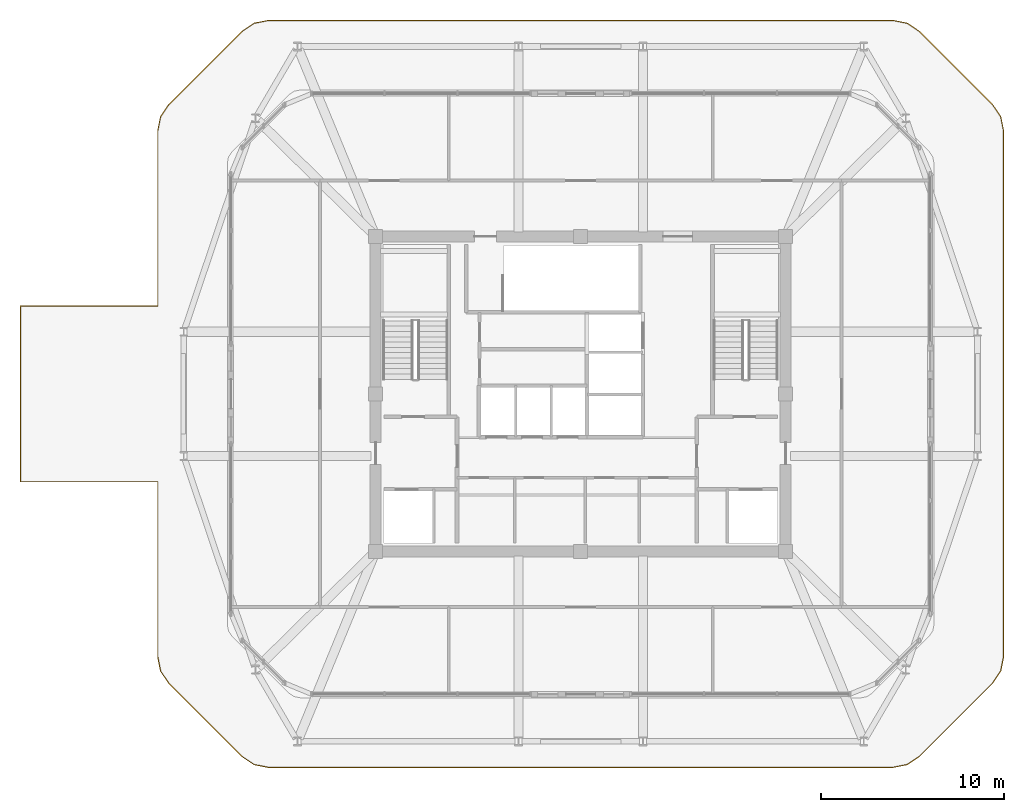
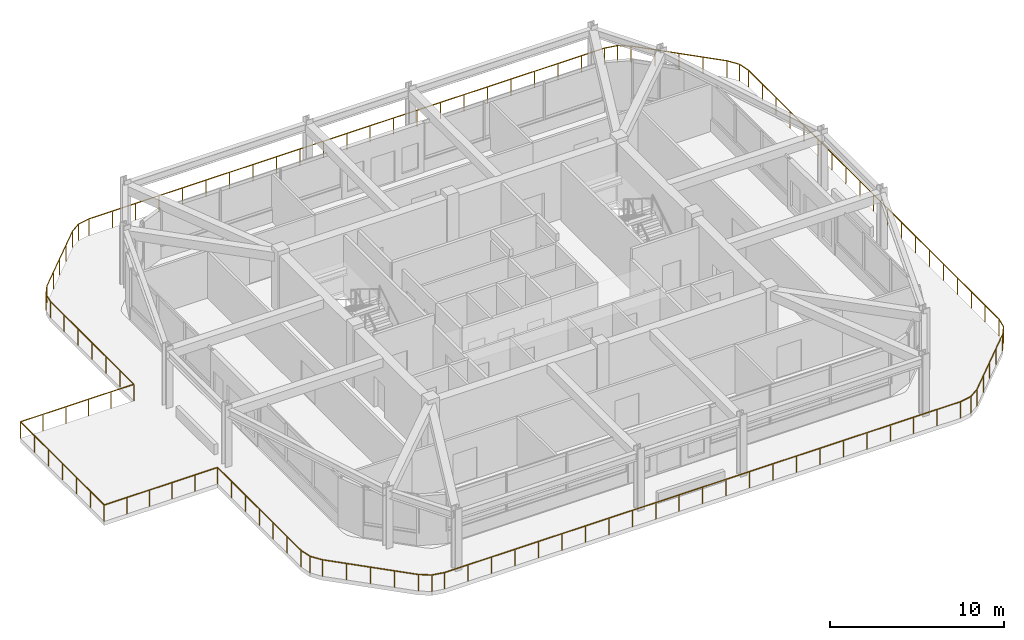
# One storey, part 9 of 10: 1 railing.
"""IFC4 building model written with IfcOpenShell, lengths in metres."""

import ifcopenshell
import ifcopenshell.guid

model = None  # the IFC model being written
_history = None  # IfcOwnerHistory: only IFC2X3 demands one
_inside = {}  # id of a spatial element -> (the spatial element, [elements in it])
_under = {}  # id of a project, library or spatial element -> (it, [spatial elements below it])
_declared = {}  # id of a project -> (the project, [libraries it declares])
_typed = {}  # id of a type object -> (the type object, [elements of that type])
_made_of = {}  # id of a material, layer set ... -> (it, [elements and type objects made of it])


def new_model(schema):
    """Start an empty IFC model of exactly this schema.

    Asked for "IFC4X3", IfcOpenShell would pick the latest addendum, in which some entities
    have other attributes; the version numbers below select the first issue.
    IFC2X3 requires an IfcOwnerHistory on every rooted entity: one is made here for all.
    """
    global model, _history
    if schema == "IFC4X3":
        model = ifcopenshell.file(schema_version=(4, 3, 0, 0))
    else:
        model = ifcopenshell.file(schema=schema)
    _inside.clear()
    _under.clear()
    _declared.clear()
    _typed.clear()
    _made_of.clear()
    _history = None
    if model.schema == "IFC2X3":
        org = make("IfcOrganization", Name="unknown")
        user = make(
            "IfcPersonAndOrganization",
            ThePerson=make("IfcPerson", FamilyName="unknown"),
            TheOrganization=org,
        )
        app = make(
            "IfcApplication",
            ApplicationDeveloper=org,
            Version="unknown",
            ApplicationFullName="unknown",
            ApplicationIdentifier="unknown",
        )
        _history = make(
            "IfcOwnerHistory",
            OwningUser=user,
            OwningApplication=app,
            ChangeAction="ADDED",
            CreationDate=0,
        )
    return model


def make(cls, **values):
    """One entity of the class cls with the attributes given. An attribute that is None is left unset."""
    return model.create_entity(
        cls, **{name: value for name, value in values.items() if value is not None}
    )


def rooted(cls, **values):
    """An entity with a GlobalId (a new one), such as an element, a storey or a relation."""
    return make(cls, GlobalId=ifcopenshell.guid.new(), OwnerHistory=_history, **values)


def si_unit(unit_type, name, prefix=None):
    """IfcSIUnit, for example si_unit("LENGTHUNIT", "METRE", prefix="MILLI")."""
    return make("IfcSIUnit", UnitType=unit_type, Prefix=prefix, Name=name)


def derived_unit(unit_type, elements):
    """IfcDerivedUnit: a product of units, each with its exponent."""
    return make(
        "IfcDerivedUnit",
        Elements=[
            make("IfcDerivedUnitElement", Unit=unit, Exponent=power)
            for unit, power in elements
        ],
        UnitType=unit_type,
    )


def assignment(units):
    """IfcUnitAssignment: the units of a project."""
    return None if units is None else make("IfcUnitAssignment", Units=units)


def point(xyz):
    """IfcCartesianPoint."""
    return None if xyz is None else make("IfcCartesianPoint", Coordinates=xyz)


def direction(xyz):
    """IfcDirection."""
    return None if xyz is None else make("IfcDirection", DirectionRatios=xyz)


def frame(location, z_axis=None, x_axis=None):
    """IfcAxis2Placement3D, a coordinate frame: its origin and axes. An axis left out is left unset."""
    return make(
        "IfcAxis2Placement3D",
        Location=point(location),
        Axis=direction(z_axis),
        RefDirection=direction(x_axis),
    )


def frame_2d(location, x_axis=None):
    """IfcAxis2Placement2D, a coordinate frame in the plane: its origin and x axis."""
    return make(
        "IfcAxis2Placement2D", Location=point(location), RefDirection=direction(x_axis)
    )


def origin():
    """The frame at (0, 0, 0) with its axes left unset."""
    return frame((0.0, 0.0, 0.0))


def origin_2d():
    """The frame at (0, 0) in the plane with its x axis left unset."""
    return frame_2d((0.0, 0.0))


def place(relative_to, where):
    """IfcLocalPlacement: puts the frame where relative to a parent placement (None: the world)."""
    return make(
        "IfcLocalPlacement", PlacementRelTo=relative_to, RelativePlacement=where
    )


def context(
    kind, dimensions, precision=None, world=None, true_north=None, identifier=None
):
    """IfcGeometricRepresentationContext, for example the 3D "Model" context."""
    return make(
        "IfcGeometricRepresentationContext",
        ContextIdentifier=identifier,
        ContextType=kind,
        CoordinateSpaceDimension=dimensions,
        Precision=precision,
        WorldCoordinateSystem=world,
        TrueNorth=true_north,
    )


def subcontext(parent, identifier, kind, view, scale=None):
    """IfcGeometricRepresentationSubContext, for example "Body" below "Model"."""
    return make(
        "IfcGeometricRepresentationSubContext",
        ContextIdentifier=identifier,
        ContextType=kind,
        ParentContext=parent,
        TargetScale=scale,
        TargetView=view,
    )


def project(units=None, contexts=None):
    """IfcProject with its units and contexts."""
    return rooted(
        "IfcProject",
        Name="project",
        RepresentationContexts=contexts,
        UnitsInContext=assignment(units),
    )


def spatial(cls, under=None, at=None, **own):
    """A site, building, storey or space (cls), placed at a placement, below another one or the project."""
    s = rooted(cls, ObjectPlacement=at, **own)
    if under is not None:
        _under.setdefault(under.id(), (under, []))[1].append(s)
    return s


def profile(cls, at=None, kind="AREA", **sizes):
    """A parametric profile (cls). Its sizes go by their IFC names, for example OverallWidth=200.0."""
    return make(cls, ProfileType=kind, Position=at, **sizes)


def rectangle(**sizes):
    """IfcRectangleProfileDef."""
    return profile("IfcRectangleProfileDef", **sizes)


def extrude(swept, where, along, depth):
    """IfcExtrudedAreaSolid: the profile swept, set in the frame where, extruded along a direction by depth."""
    return make(
        "IfcExtrudedAreaSolid",
        SweptArea=swept,
        Position=where,
        ExtrudedDirection=direction(along),
        Depth=depth,
    )


def shape(context_of_items, identifier, shape_type, items):
    """IfcShapeRepresentation: the items that make up one representation, for example the "Body"."""
    return make(
        "IfcShapeRepresentation",
        ContextOfItems=context_of_items,
        RepresentationIdentifier=identifier,
        RepresentationType=shape_type,
        Items=items,
    )


def material(Name=None, Category=None):
    """IfcMaterial."""
    return make("IfcMaterial", Name=Name, Category=Category)


def made_of(thing, what):
    """Note that an element or type object is made of a material, layer set ...; save() writes the relation."""
    if what is not None:
        _made_of.setdefault(what.id(), (what, []))[1].append(thing)
    return thing


def type_object(cls, material=None, **own):
    """A type object (cls), such as IfcWallType, which elements share."""
    return made_of(rooted(cls, **own), material)


def element(
    cls,
    number,
    at=None,
    inside=None,
    cuts=None,
    type_object=None,
    material=None,
    context=None,
    identifier="Body",
    shape_type=None,
    held_by="IfcProductDefinitionShape",
    body=None,
    shapes=None,
    **own,
):
    """One element of the class cls, such as IfcWall. Its Tag is "e" and its number.

    at: its placement. inside: the storey or other place that contains it. cuts: it is an
    opening in that element (IfcRelVoidsElement). A single representation is given by context,
    identifier, shape_type and body (its items); several are given by shapes. held_by: the class
    of the entity that holds the representations. save() writes the other relations.
    """
    e = rooted(cls, Tag="e%d" % number, ObjectPlacement=at, **own)
    if body is not None:
        shapes = [shape(context, identifier, shape_type, body)]
    if shapes is not None:
        e.Representation = make(held_by, Representations=shapes)
    if inside is not None:
        _inside.setdefault(inside.id(), (inside, []))[1].append(e)
    if cuts is not None:
        rooted(
            "IfcRelVoidsElement", RelatingBuildingElement=cuts, RelatedOpeningElement=e
        )
    if type_object is not None:
        _typed.setdefault(type_object.id(), (type_object, []))[1].append(e)
    return made_of(e, material)


def aggregate(whole, parts):
    """IfcRelAggregates: a whole, such as a stair, and the parts it consists of."""
    return rooted("IfcRelAggregates", RelatingObject=whole, RelatedObjects=parts)


def save(model, path):
    """Write the relations noted so far, then the file.

    IfcRelAggregates (storeys below a building ...), IfcRelContainedInSpatialStructure (elements
    in a storey), IfcRelDefinesByType, IfcRelAssociatesMaterial and IfcRelDeclares: one each for
    every whole, place, type object, material and project.
    """
    for whole, parts in _under.values():
        aggregate(whole, parts)
    for where, things in _inside.values():
        rooted(
            "IfcRelContainedInSpatialStructure",
            RelatedElements=things,
            RelatingStructure=where,
        )
    for kind, things in _typed.values():
        rooted("IfcRelDefinesByType", RelatedObjects=things, RelatingType=kind)
    for what, things in _made_of.values():
        rooted("IfcRelAssociatesMaterial", RelatedObjects=things, RelatingMaterial=what)
    for by, libraries in _declared.values():
        rooted("IfcRelDeclares", RelatingContext=by, RelatedDefinitions=libraries)
    model.write(path)


model = new_model("IFC4")

# Units and contexts
model_context = context("Model", 3, precision=1e-05, world=origin(), true_north=direction((0.0, 1.0)))
body_context = subcontext(model_context, "Body", "Model", "MODEL_VIEW")
ifc_project = project(units=[si_unit("LENGTHUNIT", "METRE"), si_unit("AREAUNIT", "SQUARE_METRE"), si_unit("VOLUMEUNIT", "CUBIC_METRE"), si_unit("PLANEANGLEUNIT", "RADIAN"), si_unit("MASSUNIT", "GRAM", prefix="KILO"), derived_unit("THERMALTRANSMITTANCEUNIT", [(si_unit("POWERUNIT", "WATT"), 1), (si_unit("LENGTHUNIT", "METRE"), -2), (si_unit("THERMODYNAMICTEMPERATUREUNIT", "KELVIN"), -1)])], contexts=[model_context])

# Site, building, storey
site_placement = place(None, origin())
site = spatial("IfcSite", under=ifc_project, at=site_placement, CompositionType="ELEMENT")
building_placement = place(site_placement, origin())
building = spatial("IfcBuilding", under=site, at=building_placement, Name="Koralith Skygarden Medical Center", CompositionType="ELEMENT")
storey_placement = place(building_placement, frame((0.0, 0.0, 294.659912109375)))
storey = spatial("IfcBuildingStorey", under=building, at=storey_placement, Name="L76", CompositionType="ELEMENT", Elevation=294.659912109375)

# Railing
ifc_material = material(Name="Steel ASTM A500 Grade C", Category="steel")
railing_type = type_object("IfcRailingType", Name="Outdoor Terrace & Balcony Safety Guardrail 1180", PredefinedType="GUARDRAIL", material=ifc_material)
railing_placement = place(storey_placement, frame((6.39990234375, 30.699951171875, 0.0)))
element("IfcRailing", 1, at=railing_placement, inside=storey, type_object=railing_type, Name="L76 Observation Deck and Lookout Perimeter Guardrail", PredefinedType="GUARDRAIL", context=body_context, shape_type="SweptSolid", body=[
    extrude(rectangle(XDim=0.050048828125, YDim=0.050048828125, at=origin_2d()), frame((0.001953125, 0.0, 1.15478515625), z_axis=(1.0, 0.0, 0.0), x_axis=(0.0, 1.0, 0.0)), (0.0, 0.0, 1.0), 7.49609375),
    extrude(rectangle(XDim=0.050048828125, YDim=0.050048828125, at=origin_2d()), frame((7.5, 0.001953125, 1.15478515625), z_axis=(0.0, 1.0, 0.0), x_axis=(-1.0, 0.0, 0.0)), (0.0, 0.0, 1.0), 9.568115234375),
    extrude(rectangle(XDim=0.050048828125, YDim=0.050048828125, at=origin_2d()), frame((7.50048828125, 9.573974609375, 1.15478515625), z_axis=(0.194972503344, 0.980808708638, 0.0), x_axis=(-0.980808708638, 0.194972503344, 0.0)), (0.0, 0.0, 1.0), 0.776123046875),
    extrude(rectangle(XDim=0.050048828125, YDim=0.050048828125, at=origin_2d()), frame((7.6533203125, 10.3388671875, 1.15478515625), z_axis=(0.555998469717, 0.831183314121, 0.0), x_axis=(-0.831183314121, 0.555998469717, 0.0)), (0.0, 0.0, 1.0), 0.776611328125),
    extrude(rectangle(XDim=0.050048828125, YDim=0.050048828125, at=origin_2d()), frame((8.087646484375, 10.987548828125, 1.15478515625), z_axis=(0.707085351435, 0.707128210288, 0.0), x_axis=(-0.707128210288, 0.707085351435, 0.0)), (0.0, 0.0, 1.0), 5.6923828125),
    extrude(rectangle(XDim=0.050048828125, YDim=0.050048828125, at=origin_2d()), frame((12.11572265625, 15.015380859375, 1.15478515625), z_axis=(0.831424399334, 0.555637893049, 0.0), x_axis=(-0.555637893049, 0.831424399334, 0.0)), (0.0, 0.0, 1.0), 0.77685546875),
    extrude(rectangle(XDim=0.050048828125, YDim=0.050048828125, at=origin_2d()), frame((12.76513671875, 15.448486328125, 1.15478515625), z_axis=(0.980796806306, 0.195032368442, 0.0), x_axis=(-0.195032368442, 0.980796806306, 0.0)), (0.0, 0.0, 1.0), 0.77587890625),
    extrude(rectangle(XDim=0.050048828125, YDim=0.050048828125, at=origin_2d()), frame((13.530029296875, 15.60009765625, 1.15478515625), z_axis=(1.0, 0.0, 0.0), x_axis=(0.0, 1.0, 0.0)), (0.0, 0.0, 1.0), 34.14013671875),
    extrude(rectangle(XDim=0.050048828125, YDim=0.050048828125, at=origin_2d()), frame((47.674072265625, 15.599609375, 1.15478515625), z_axis=(0.980796806306, -0.195032368442, 0.0), x_axis=(0.195032368442, 0.980796806306, 0.0)), (0.0, 0.0, 1.0), 0.77587890625),
    extrude(rectangle(XDim=0.050048828125, YDim=0.050048828125, at=origin_2d()), frame((48.438720703125, 15.44677734375, 1.15478515625), z_axis=(0.831424399334, -0.555637893049, 0.0), x_axis=(0.555637893049, 0.831424399334, 0.0)), (0.0, 0.0, 1.0), 0.77685546875),
    extrude(rectangle(XDim=0.050048828125, YDim=0.050048828125, at=origin_2d()), frame((49.087646484375, 15.0126953125, 1.15478515625), z_axis=(0.707085351435, -0.707128210288, 0.0), x_axis=(0.707128210288, 0.707085351435, 0.0)), (0.0, 0.0, 1.0), 5.6923828125),
    extrude(rectangle(XDim=0.050048828125, YDim=0.050048828125, at=origin_2d()), frame((53.115234375, 10.984375, 1.15478515625), z_axis=(0.555998469717, -0.831183314121, 0.0), x_axis=(0.831183314121, 0.555998469717, 0.0)), (0.0, 0.0, 1.0), 0.776611328125),
    extrude(rectangle(XDim=0.050048828125, YDim=0.050048828125, at=origin_2d()), frame((53.548583984375, 10.335205078125, 1.15478515625), z_axis=(0.194972503344, -0.980808708638, 0.0), x_axis=(0.980808708638, 0.194972503344, 0.0)), (0.0, 0.0, 1.0), 0.776123046875),
    extrude(rectangle(XDim=0.050048828125, YDim=0.050048828125, at=origin_2d()), frame((53.7001953125, 9.570068359375, 1.15478515625), z_axis=(0.0, -1.0, 0.0), x_axis=(1.0, 0.0, 0.0)), (0.0, 0.0, 1.0), 28.739990234375),
    extrude(rectangle(XDim=0.050048828125, YDim=0.050048828125, at=origin_2d()), frame((53.69970703125, -19.173828125, 1.15478515625), z_axis=(-0.194972503344, -0.980808708638, 0.0), x_axis=(0.980808708638, -0.194972503344, 0.0)), (0.0, 0.0, 1.0), 0.776123046875),
    extrude(rectangle(XDim=0.050048828125, YDim=0.050048828125, at=origin_2d()), frame((53.546875, -19.938720703125, 1.15478515625), z_axis=(-0.555998469717, -0.831183314121, 0.0), x_axis=(0.831183314121, -0.555998469717, 0.0)), (0.0, 0.0, 1.0), 0.776611328125),
    extrude(rectangle(XDim=0.050048828125, YDim=0.050048828125, at=origin_2d()), frame((53.112548828125, -20.58740234375, 1.15478515625), z_axis=(-0.707085351435, -0.707128210288, 0.0), x_axis=(0.707128210288, -0.707085351435, 0.0)), (0.0, 0.0, 1.0), 5.6923828125),
    extrude(rectangle(XDim=0.050048828125, YDim=0.050048828125, at=origin_2d()), frame((49.08447265625, -24.615234375, 1.15478515625), z_axis=(-0.831424399334, -0.555637893049, 0.0), x_axis=(0.555637893049, -0.831424399334, 0.0)), (0.0, 0.0, 1.0), 0.77685546875),
    extrude(rectangle(XDim=0.050048828125, YDim=0.050048828125, at=origin_2d()), frame((48.43505859375, -25.04833984375, 1.15478515625), z_axis=(-0.980796806306, -0.195032368442, 0.0), x_axis=(0.195032368442, -0.980796806306, 0.0)), (0.0, 0.0, 1.0), 0.77587890625),
    extrude(rectangle(XDim=0.050048828125, YDim=0.050048828125, at=origin_2d()), frame((47.670166015625, -25.199951171875, 1.15478515625), z_axis=(-1.0, 0.0, 0.0), x_axis=(0.0, -1.0, 0.0)), (0.0, 0.0, 1.0), 34.14013671875),
    extrude(rectangle(XDim=0.050048828125, YDim=0.050048828125, at=origin_2d()), frame((13.526123046875, -25.199462890625, 1.15478515625), z_axis=(-0.980796806306, 0.195032368442, 0.0), x_axis=(-0.195032368442, -0.980796806306, 0.0)), (0.0, 0.0, 1.0), 0.77587890625),
    extrude(rectangle(XDim=0.050048828125, YDim=0.050048828125, at=origin_2d()), frame((12.761474609375, -25.046630859375, 1.15478515625), z_axis=(-0.831424399334, 0.555637893049, 0.0), x_axis=(-0.555637893049, -0.831424399334, 0.0)), (0.0, 0.0, 1.0), 0.77685546875),
    extrude(rectangle(XDim=0.050048828125, YDim=0.050048828125, at=origin_2d()), frame((12.112548828125, -24.612548828125, 1.15478515625), z_axis=(-0.707085351435, 0.707128210288, 0.0), x_axis=(-0.707128210288, -0.707085351435, 0.0)), (0.0, 0.0, 1.0), 5.6923828125),
    extrude(rectangle(XDim=0.050048828125, YDim=0.050048828125, at=origin_2d()), frame((8.0849609375, -20.584228515625, 1.15478515625), z_axis=(-0.555998469717, 0.831183314121, 0.0), x_axis=(-0.831183314121, -0.555998469717, 0.0)), (0.0, 0.0, 1.0), 0.776611328125),
    extrude(rectangle(XDim=0.050048828125, YDim=0.050048828125, at=origin_2d()), frame((7.651611328125, -19.93505859375, 1.15478515625), z_axis=(-0.194972503344, 0.980808708638, 0.0), x_axis=(-0.980808708638, -0.194972503344, 0.0)), (0.0, 0.0, 1.0), 0.776123046875),
    extrude(rectangle(XDim=0.050048828125, YDim=0.050048828125, at=origin_2d()), frame((7.5, -19.169921875, 1.15478515625), z_axis=(0.0, 1.0, 0.0), x_axis=(-1.0, 0.0, 0.0)), (0.0, 0.0, 1.0), 9.568115234375),
    extrude(rectangle(XDim=0.050048828125, YDim=0.050048828125, at=origin_2d()), frame((7.498046875, -9.599853515625, 1.15478515625), z_axis=(-1.0, 0.0, 0.0), x_axis=(0.0, -1.0, 0.0)), (0.0, 0.0, 1.0), 7.49609375),
    extrude(rectangle(XDim=0.050048828125, YDim=0.050048828125, at=origin_2d()), frame((0.0, -9.597900390625, 1.15478515625), z_axis=(0.0, 1.0, 0.0), x_axis=(-1.0, 0.0, 0.0)), (0.0, 0.0, 1.0), 9.595947265625),
    extrude(rectangle(XDim=0.0419921875, YDim=0.0419921875, at=origin_2d()), origin(), (0.0, 0.0, 1.0), 1.1279296875),
    extrude(rectangle(XDim=0.0419921875, YDim=0.0419921875, at=origin_2d()), frame((1.5, 0.0, 0.0)), (0.0, 0.0, 1.0), 1.1279296875),
    extrude(rectangle(XDim=0.0419921875, YDim=0.0419921875, at=origin_2d()), frame((3.0, 0.0, 0.0)), (0.0, 0.0, 1.0), 1.1279296875),
    extrude(rectangle(XDim=0.0419921875, YDim=0.0419921875, at=origin_2d()), frame((4.5, 0.0, 0.0)), (0.0, 0.0, 1.0), 1.1279296875),
    extrude(rectangle(XDim=0.0419921875, YDim=0.0419921875, at=origin_2d()), frame((6.0, 0.0, 0.0)), (0.0, 0.0, 1.0), 1.1279296875),
    extrude(rectangle(XDim=0.0419921875, YDim=0.0419921875, at=origin_2d()), frame((7.5, 0.0, 0.0)), (0.0, 0.0, 1.0), 1.1279296875),
    extrude(rectangle(XDim=0.0419921875, YDim=0.0419921875, at=origin_2d()), frame((7.5, 1.59521484375, 0.0)), (0.0, 0.0, 1.0), 1.1279296875),
    extrude(rectangle(XDim=0.0419921875, YDim=0.0419921875, at=origin_2d()), frame((7.5, 3.190673828125, 0.0)), (0.0, 0.0, 1.0), 1.1279296875),
    extrude(rectangle(XDim=0.0419921875, YDim=0.0419921875, at=origin_2d()), frame((7.5, 4.7861328125, 0.0)), (0.0, 0.0, 1.0), 1.1279296875),
    extrude(rectangle(XDim=0.0419921875, YDim=0.0419921875, at=origin_2d()), frame((7.5, 6.38134765625, 0.0)), (0.0, 0.0, 1.0), 1.1279296875),
    extrude(rectangle(XDim=0.0419921875, YDim=0.0419921875, at=origin_2d()), frame((7.5, 7.9765625, 0.0)), (0.0, 0.0, 1.0), 1.1279296875),
    extrude(rectangle(XDim=0.0419921875, YDim=0.0419921875, at=origin_2d()), frame((7.5, 9.572021484375, 0.0)), (0.0, 0.0, 1.0), 1.1279296875),
    extrude(rectangle(XDim=0.0419921875, YDim=0.0419921875, at=origin_2d()), frame((7.652099609375, 10.337158203125, 0.0)), (0.0, 0.0, 1.0), 1.1279296875),
    extrude(rectangle(XDim=0.0419921875, YDim=0.0419921875, at=origin_2d()), frame((8.086181640625, 10.986083984375, 0.0)), (0.0, 0.0, 1.0), 1.1279296875),
    extrude(rectangle(XDim=0.0419921875, YDim=0.0419921875, at=origin_2d()), frame((9.09326171875, 11.9931640625, 0.0)), (0.0, 0.0, 1.0), 1.1279296875),
    extrude(rectangle(XDim=0.0419921875, YDim=0.0419921875, at=origin_2d()), frame((10.10009765625, 13.0, 0.0)), (0.0, 0.0, 1.0), 1.1279296875),
    extrude(rectangle(XDim=0.0419921875, YDim=0.0419921875, at=origin_2d()), frame((11.10693359375, 14.007080078125, 0.0)), (0.0, 0.0, 1.0), 1.1279296875),
    extrude(rectangle(XDim=0.0419921875, YDim=0.0419921875, at=origin_2d()), frame((12.114013671875, 15.01416015625, 0.0)), (0.0, 0.0, 1.0), 1.1279296875),
    extrude(rectangle(XDim=0.0419921875, YDim=0.0419921875, at=origin_2d()), frame((12.76318359375, 15.447998046875, 0.0)), (0.0, 0.0, 1.0), 1.1279296875),
    extrude(rectangle(XDim=0.0419921875, YDim=0.0419921875, at=origin_2d()), frame((13.528076171875, 15.60009765625, 0.0)), (0.0, 0.0, 1.0), 1.1279296875),
    extrude(rectangle(XDim=0.0419921875, YDim=0.0419921875, at=origin_2d()), frame((15.080078125, 15.60009765625, 0.0)), (0.0, 0.0, 1.0), 1.1279296875),
    extrude(rectangle(XDim=0.0419921875, YDim=0.0419921875, at=origin_2d()), frame((16.632080078125, 15.60009765625, 0.0)), (0.0, 0.0, 1.0), 1.1279296875),
    extrude(rectangle(XDim=0.0419921875, YDim=0.0419921875, at=origin_2d()), frame((18.18408203125, 15.60009765625, 0.0)), (0.0, 0.0, 1.0), 1.1279296875),
    extrude(rectangle(XDim=0.0419921875, YDim=0.0419921875, at=origin_2d()), frame((19.736083984375, 15.60009765625, 0.0)), (0.0, 0.0, 1.0), 1.1279296875),
    extrude(rectangle(XDim=0.0419921875, YDim=0.0419921875, at=origin_2d()), frame((21.2880859375, 15.60009765625, 0.0)), (0.0, 0.0, 1.0), 1.1279296875),
    extrude(rectangle(XDim=0.0419921875, YDim=0.0419921875, at=origin_2d()), frame((22.840087890625, 15.60009765625, 0.0)), (0.0, 0.0, 1.0), 1.1279296875),
    extrude(rectangle(XDim=0.0419921875, YDim=0.0419921875, at=origin_2d()), frame((24.39208984375, 15.60009765625, 0.0)), (0.0, 0.0, 1.0), 1.1279296875),
    extrude(rectangle(XDim=0.0419921875, YDim=0.0419921875, at=origin_2d()), frame((25.944091796875, 15.60009765625, 0.0)), (0.0, 0.0, 1.0), 1.1279296875),
    extrude(rectangle(XDim=0.0419921875, YDim=0.0419921875, at=origin_2d()), frame((27.49609375, 15.60009765625, 0.0)), (0.0, 0.0, 1.0), 1.1279296875),
    extrude(rectangle(XDim=0.0419921875, YDim=0.0419921875, at=origin_2d()), frame((29.048095703125, 15.60009765625, 0.0)), (0.0, 0.0, 1.0), 1.1279296875),
    extrude(rectangle(XDim=0.0419921875, YDim=0.0419921875, at=origin_2d()), frame((30.60009765625, 15.60009765625, 0.0)), (0.0, 0.0, 1.0), 1.1279296875),
    extrude(rectangle(XDim=0.0419921875, YDim=0.0419921875, at=origin_2d()), frame((32.152099609375, 15.60009765625, 0.0)), (0.0, 0.0, 1.0), 1.1279296875),
    extrude(rectangle(XDim=0.0419921875, YDim=0.0419921875, at=origin_2d()), frame((33.7041015625, 15.60009765625, 0.0)), (0.0, 0.0, 1.0), 1.1279296875),
    extrude(rectangle(XDim=0.0419921875, YDim=0.0419921875, at=origin_2d()), frame((35.256103515625, 15.60009765625, 0.0)), (0.0, 0.0, 1.0), 1.1279296875),
    extrude(rectangle(XDim=0.0419921875, YDim=0.0419921875, at=origin_2d()), frame((36.80810546875, 15.60009765625, 0.0)), (0.0, 0.0, 1.0), 1.1279296875),
    extrude(rectangle(XDim=0.0419921875, YDim=0.0419921875, at=origin_2d()), frame((38.360107421875, 15.60009765625, 0.0)), (0.0, 0.0, 1.0), 1.1279296875),
    extrude(rectangle(XDim=0.0419921875, YDim=0.0419921875, at=origin_2d()), frame((39.912109375, 15.60009765625, 0.0)), (0.0, 0.0, 1.0), 1.1279296875),
    extrude(rectangle(XDim=0.0419921875, YDim=0.0419921875, at=origin_2d()), frame((41.464111328125, 15.60009765625, 0.0)), (0.0, 0.0, 1.0), 1.1279296875),
    extrude(rectangle(XDim=0.0419921875, YDim=0.0419921875, at=origin_2d()), frame((43.01611328125, 15.60009765625, 0.0)), (0.0, 0.0, 1.0), 1.1279296875),
    extrude(rectangle(XDim=0.0419921875, YDim=0.0419921875, at=origin_2d()), frame((44.568115234375, 15.60009765625, 0.0)), (0.0, 0.0, 1.0), 1.1279296875),
    extrude(rectangle(XDim=0.0419921875, YDim=0.0419921875, at=origin_2d()), frame((46.1201171875, 15.60009765625, 0.0)), (0.0, 0.0, 1.0), 1.1279296875),
    extrude(rectangle(XDim=0.0419921875, YDim=0.0419921875, at=origin_2d()), frame((47.672119140625, 15.60009765625, 0.0)), (0.0, 0.0, 1.0), 1.1279296875),
    extrude(rectangle(XDim=0.0419921875, YDim=0.0419921875, at=origin_2d()), frame((48.43701171875, 15.447998046875, 0.0)), (0.0, 0.0, 1.0), 1.1279296875),
    extrude(rectangle(XDim=0.0419921875, YDim=0.0419921875, at=origin_2d()), frame((49.086181640625, 15.01416015625, 0.0)), (0.0, 0.0, 1.0), 1.1279296875),
    extrude(rectangle(XDim=0.0419921875, YDim=0.0419921875, at=origin_2d()), frame((50.09326171875, 14.007080078125, 0.0)), (0.0, 0.0, 1.0), 1.1279296875),
    extrude(rectangle(XDim=0.0419921875, YDim=0.0419921875, at=origin_2d()), frame((51.10009765625, 13.0, 0.0)), (0.0, 0.0, 1.0), 1.1279296875),
    extrude(rectangle(XDim=0.0419921875, YDim=0.0419921875, at=origin_2d()), frame((52.10693359375, 11.9931640625, 0.0)), (0.0, 0.0, 1.0), 1.1279296875),
    extrude(rectangle(XDim=0.0419921875, YDim=0.0419921875, at=origin_2d()), frame((53.114013671875, 10.986083984375, 0.0)), (0.0, 0.0, 1.0), 1.1279296875),
    extrude(rectangle(XDim=0.0419921875, YDim=0.0419921875, at=origin_2d()), frame((53.548095703125, 10.337158203125, 0.0)), (0.0, 0.0, 1.0), 1.1279296875),
    extrude(rectangle(XDim=0.0419921875, YDim=0.0419921875, at=origin_2d()), frame((53.7001953125, 9.572021484375, 0.0)), (0.0, 0.0, 1.0), 1.1279296875),
    extrude(rectangle(XDim=0.0419921875, YDim=0.0419921875, at=origin_2d()), frame((53.7001953125, 7.97509765625, 0.0)), (0.0, 0.0, 1.0), 1.1279296875),
    extrude(rectangle(XDim=0.0419921875, YDim=0.0419921875, at=origin_2d()), frame((53.7001953125, 6.378173828125, 0.0)), (0.0, 0.0, 1.0), 1.1279296875),
    extrude(rectangle(XDim=0.0419921875, YDim=0.0419921875, at=origin_2d()), frame((53.7001953125, 4.78125, 0.0)), (0.0, 0.0, 1.0), 1.1279296875),
    extrude(rectangle(XDim=0.0419921875, YDim=0.0419921875, at=origin_2d()), frame((53.7001953125, 3.1845703125, 0.0)), (0.0, 0.0, 1.0), 1.1279296875),
    extrude(rectangle(XDim=0.0419921875, YDim=0.0419921875, at=origin_2d()), frame((53.7001953125, 1.587646484375, 0.0)), (0.0, 0.0, 1.0), 1.1279296875),
    extrude(rectangle(XDim=0.0419921875, YDim=0.0419921875, at=origin_2d()), frame((53.7001953125, -0.00927734375, 0.0)), (0.0, 0.0, 1.0), 1.1279296875),
    extrude(rectangle(XDim=0.0419921875, YDim=0.0419921875, at=origin_2d()), frame((53.7001953125, -1.606201171875, 0.0)), (0.0, 0.0, 1.0), 1.1279296875),
    extrude(rectangle(XDim=0.0419921875, YDim=0.0419921875, at=origin_2d()), frame((53.7001953125, -3.203125, 0.0)), (0.0, 0.0, 1.0), 1.1279296875),
    extrude(rectangle(XDim=0.0419921875, YDim=0.0419921875, at=origin_2d()), frame((53.7001953125, -4.7998046875, 0.0)), (0.0, 0.0, 1.0), 1.1279296875),
    extrude(rectangle(XDim=0.0419921875, YDim=0.0419921875, at=origin_2d()), frame((53.7001953125, -6.396728515625, 0.0)), (0.0, 0.0, 1.0), 1.1279296875),
    extrude(rectangle(XDim=0.0419921875, YDim=0.0419921875, at=origin_2d()), frame((53.7001953125, -7.99365234375, 0.0)), (0.0, 0.0, 1.0), 1.1279296875),
    extrude(rectangle(XDim=0.0419921875, YDim=0.0419921875, at=origin_2d()), frame((53.7001953125, -9.590576171875, 0.0)), (0.0, 0.0, 1.0), 1.1279296875),
    extrude(rectangle(XDim=0.0419921875, YDim=0.0419921875, at=origin_2d()), frame((53.7001953125, -11.1875, 0.0)), (0.0, 0.0, 1.0), 1.1279296875),
    extrude(rectangle(XDim=0.0419921875, YDim=0.0419921875, at=origin_2d()), frame((53.7001953125, -12.784423828125, 0.0)), (0.0, 0.0, 1.0), 1.1279296875),
    extrude(rectangle(XDim=0.0419921875, YDim=0.0419921875, at=origin_2d()), frame((53.7001953125, -14.38134765625, 0.0)), (0.0, 0.0, 1.0), 1.1279296875),
    extrude(rectangle(XDim=0.0419921875, YDim=0.0419921875, at=origin_2d()), frame((53.7001953125, -15.97802734375, 0.0)), (0.0, 0.0, 1.0), 1.1279296875),
    extrude(rectangle(XDim=0.0419921875, YDim=0.0419921875, at=origin_2d()), frame((53.7001953125, -17.574951171875, 0.0)), (0.0, 0.0, 1.0), 1.1279296875),
    extrude(rectangle(XDim=0.0419921875, YDim=0.0419921875, at=origin_2d()), frame((53.7001953125, -19.171875, 0.0)), (0.0, 0.0, 1.0), 1.1279296875),
    extrude(rectangle(XDim=0.0419921875, YDim=0.0419921875, at=origin_2d()), frame((53.548095703125, -19.93701171875, 0.0)), (0.0, 0.0, 1.0), 1.1279296875),
    extrude(rectangle(XDim=0.0419921875, YDim=0.0419921875, at=origin_2d()), frame((53.114013671875, -20.5859375, 0.0)), (0.0, 0.0, 1.0), 1.1279296875),
    extrude(rectangle(XDim=0.0419921875, YDim=0.0419921875, at=origin_2d()), frame((52.10693359375, -21.593017578125, 0.0)), (0.0, 0.0, 1.0), 1.1279296875),
    extrude(rectangle(XDim=0.0419921875, YDim=0.0419921875, at=origin_2d()), frame((51.10009765625, -22.60009765625, 0.0)), (0.0, 0.0, 1.0), 1.1279296875),
    extrude(rectangle(XDim=0.0419921875, YDim=0.0419921875, at=origin_2d()), frame((50.09326171875, -23.60693359375, 0.0)), (0.0, 0.0, 1.0), 1.1279296875),
    extrude(rectangle(XDim=0.0419921875, YDim=0.0419921875, at=origin_2d()), frame((49.086181640625, -24.614013671875, 0.0)), (0.0, 0.0, 1.0), 1.1279296875),
    extrude(rectangle(XDim=0.0419921875, YDim=0.0419921875, at=origin_2d()), frame((48.43701171875, -25.0478515625, 0.0)), (0.0, 0.0, 1.0), 1.1279296875),
    extrude(rectangle(XDim=0.0419921875, YDim=0.0419921875, at=origin_2d()), frame((47.672119140625, -25.199951171875, 0.0)), (0.0, 0.0, 1.0), 1.1279296875),
    extrude(rectangle(XDim=0.0419921875, YDim=0.0419921875, at=origin_2d()), frame((46.1201171875, -25.199951171875, 0.0)), (0.0, 0.0, 1.0), 1.1279296875),
    extrude(rectangle(XDim=0.0419921875, YDim=0.0419921875, at=origin_2d()), frame((44.568115234375, -25.199951171875, 0.0)), (0.0, 0.0, 1.0), 1.1279296875),
    extrude(rectangle(XDim=0.0419921875, YDim=0.0419921875, at=origin_2d()), frame((43.01611328125, -25.199951171875, 0.0)), (0.0, 0.0, 1.0), 1.1279296875),
    extrude(rectangle(XDim=0.0419921875, YDim=0.0419921875, at=origin_2d()), frame((41.464111328125, -25.199951171875, 0.0)), (0.0, 0.0, 1.0), 1.1279296875),
    extrude(rectangle(XDim=0.0419921875, YDim=0.0419921875, at=origin_2d()), frame((39.912109375, -25.199951171875, 0.0)), (0.0, 0.0, 1.0), 1.1279296875),
    extrude(rectangle(XDim=0.0419921875, YDim=0.0419921875, at=origin_2d()), frame((38.360107421875, -25.199951171875, 0.0)), (0.0, 0.0, 1.0), 1.1279296875),
    extrude(rectangle(XDim=0.0419921875, YDim=0.0419921875, at=origin_2d()), frame((36.80810546875, -25.199951171875, 0.0)), (0.0, 0.0, 1.0), 1.1279296875),
    extrude(rectangle(XDim=0.0419921875, YDim=0.0419921875, at=origin_2d()), frame((35.256103515625, -25.199951171875, 0.0)), (0.0, 0.0, 1.0), 1.1279296875),
    extrude(rectangle(XDim=0.0419921875, YDim=0.0419921875, at=origin_2d()), frame((33.7041015625, -25.199951171875, 0.0)), (0.0, 0.0, 1.0), 1.1279296875),
    extrude(rectangle(XDim=0.0419921875, YDim=0.0419921875, at=origin_2d()), frame((32.152099609375, -25.199951171875, 0.0)), (0.0, 0.0, 1.0), 1.1279296875),
    extrude(rectangle(XDim=0.0419921875, YDim=0.0419921875, at=origin_2d()), frame((30.60009765625, -25.199951171875, 0.0)), (0.0, 0.0, 1.0), 1.1279296875),
    extrude(rectangle(XDim=0.0419921875, YDim=0.0419921875, at=origin_2d()), frame((29.048095703125, -25.199951171875, 0.0)), (0.0, 0.0, 1.0), 1.1279296875),
    extrude(rectangle(XDim=0.0419921875, YDim=0.0419921875, at=origin_2d()), frame((27.49609375, -25.199951171875, 0.0)), (0.0, 0.0, 1.0), 1.1279296875),
    extrude(rectangle(XDim=0.0419921875, YDim=0.0419921875, at=origin_2d()), frame((25.944091796875, -25.199951171875, 0.0)), (0.0, 0.0, 1.0), 1.1279296875),
    extrude(rectangle(XDim=0.0419921875, YDim=0.0419921875, at=origin_2d()), frame((24.39208984375, -25.199951171875, 0.0)), (0.0, 0.0, 1.0), 1.1279296875),
    extrude(rectangle(XDim=0.0419921875, YDim=0.0419921875, at=origin_2d()), frame((22.840087890625, -25.199951171875, 0.0)), (0.0, 0.0, 1.0), 1.1279296875),
    extrude(rectangle(XDim=0.0419921875, YDim=0.0419921875, at=origin_2d()), frame((21.2880859375, -25.199951171875, 0.0)), (0.0, 0.0, 1.0), 1.1279296875),
    extrude(rectangle(XDim=0.0419921875, YDim=0.0419921875, at=origin_2d()), frame((19.736083984375, -25.199951171875, 0.0)), (0.0, 0.0, 1.0), 1.1279296875),
    extrude(rectangle(XDim=0.0419921875, YDim=0.0419921875, at=origin_2d()), frame((18.18408203125, -25.199951171875, 0.0)), (0.0, 0.0, 1.0), 1.1279296875),
    extrude(rectangle(XDim=0.0419921875, YDim=0.0419921875, at=origin_2d()), frame((16.632080078125, -25.199951171875, 0.0)), (0.0, 0.0, 1.0), 1.1279296875),
    extrude(rectangle(XDim=0.0419921875, YDim=0.0419921875, at=origin_2d()), frame((15.080078125, -25.199951171875, 0.0)), (0.0, 0.0, 1.0), 1.1279296875),
    extrude(rectangle(XDim=0.0419921875, YDim=0.0419921875, at=origin_2d()), frame((13.528076171875, -25.199951171875, 0.0)), (0.0, 0.0, 1.0), 1.1279296875),
    extrude(rectangle(XDim=0.0419921875, YDim=0.0419921875, at=origin_2d()), frame((12.76318359375, -25.0478515625, 0.0)), (0.0, 0.0, 1.0), 1.1279296875),
    extrude(rectangle(XDim=0.0419921875, YDim=0.0419921875, at=origin_2d()), frame((12.114013671875, -24.614013671875, 0.0)), (0.0, 0.0, 1.0), 1.1279296875),
    extrude(rectangle(XDim=0.0419921875, YDim=0.0419921875, at=origin_2d()), frame((11.10693359375, -23.60693359375, 0.0)), (0.0, 0.0, 1.0), 1.1279296875),
    extrude(rectangle(XDim=0.0419921875, YDim=0.0419921875, at=origin_2d()), frame((10.10009765625, -22.60009765625, 0.0)), (0.0, 0.0, 1.0), 1.1279296875),
    extrude(rectangle(XDim=0.0419921875, YDim=0.0419921875, at=origin_2d()), frame((9.09326171875, -21.593017578125, 0.0)), (0.0, 0.0, 1.0), 1.1279296875),
    extrude(rectangle(XDim=0.0419921875, YDim=0.0419921875, at=origin_2d()), frame((8.086181640625, -20.5859375, 0.0)), (0.0, 0.0, 1.0), 1.1279296875),
    extrude(rectangle(XDim=0.0419921875, YDim=0.0419921875, at=origin_2d()), frame((7.652099609375, -19.93701171875, 0.0)), (0.0, 0.0, 1.0), 1.1279296875),
    extrude(rectangle(XDim=0.0419921875, YDim=0.0419921875, at=origin_2d()), frame((7.5, -19.171875, 0.0)), (0.0, 0.0, 1.0), 1.1279296875),
    extrude(rectangle(XDim=0.0419921875, YDim=0.0419921875, at=origin_2d()), frame((7.5, -17.57666015625, 0.0)), (0.0, 0.0, 1.0), 1.1279296875),
    extrude(rectangle(XDim=0.0419921875, YDim=0.0419921875, at=origin_2d()), frame((7.5, -15.981201171875, 0.0)), (0.0, 0.0, 1.0), 1.1279296875),
    extrude(rectangle(XDim=0.0419921875, YDim=0.0419921875, at=origin_2d()), frame((7.5, -14.3857421875, 0.0)), (0.0, 0.0, 1.0), 1.1279296875),
    extrude(rectangle(XDim=0.0419921875, YDim=0.0419921875, at=origin_2d()), frame((7.5, -12.79052734375, 0.0)), (0.0, 0.0, 1.0), 1.1279296875),
    extrude(rectangle(XDim=0.0419921875, YDim=0.0419921875, at=origin_2d()), frame((7.5, -11.1953125, 0.0)), (0.0, 0.0, 1.0), 1.1279296875),
    extrude(rectangle(XDim=0.0419921875, YDim=0.0419921875, at=origin_2d()), frame((7.5, -9.599853515625, 0.0)), (0.0, 0.0, 1.0), 1.1279296875),
    extrude(rectangle(XDim=0.0419921875, YDim=0.0419921875, at=origin_2d()), frame((6.0, -9.599853515625, 0.0)), (0.0, 0.0, 1.0), 1.1279296875),
    extrude(rectangle(XDim=0.0419921875, YDim=0.0419921875, at=origin_2d()), frame((4.5, -9.599853515625, 0.0)), (0.0, 0.0, 1.0), 1.1279296875),
    extrude(rectangle(XDim=0.0419921875, YDim=0.0419921875, at=origin_2d()), frame((3.0, -9.599853515625, 0.0)), (0.0, 0.0, 1.0), 1.1279296875),
    extrude(rectangle(XDim=0.0419921875, YDim=0.0419921875, at=origin_2d()), frame((1.5, -9.599853515625, 0.0)), (0.0, 0.0, 1.0), 1.1279296875),
    extrude(rectangle(XDim=0.0419921875, YDim=0.0419921875, at=origin_2d()), frame((0.0, -9.599853515625, 0.0)), (0.0, 0.0, 1.0), 1.1279296875),
    extrude(rectangle(XDim=0.0419921875, YDim=0.0419921875, at=origin_2d()), frame((0.0, -8.0, 0.0)), (0.0, 0.0, 1.0), 1.1279296875),
    extrude(rectangle(XDim=0.0419921875, YDim=0.0419921875, at=origin_2d()), frame((0.0, -6.39990234375, 0.0)), (0.0, 0.0, 1.0), 1.1279296875),
    extrude(rectangle(XDim=0.0419921875, YDim=0.0419921875, at=origin_2d()), frame((0.0, -4.7998046875, 0.0)), (0.0, 0.0, 1.0), 1.1279296875),
    extrude(rectangle(XDim=0.0419921875, YDim=0.0419921875, at=origin_2d()), frame((0.0, -3.199951171875, 0.0)), (0.0, 0.0, 1.0), 1.1279296875),
    extrude(rectangle(XDim=0.0419921875, YDim=0.0419921875, at=origin_2d()), frame((0.0, -1.60009765625, 0.0)), (0.0, 0.0, 1.0), 1.1279296875),
])

save(model, "model.ifc")
